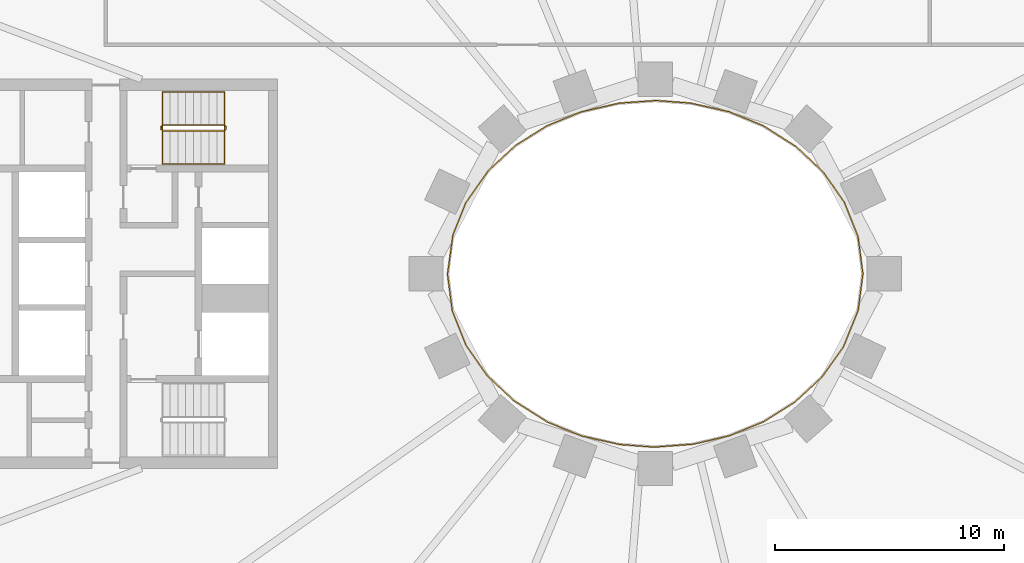
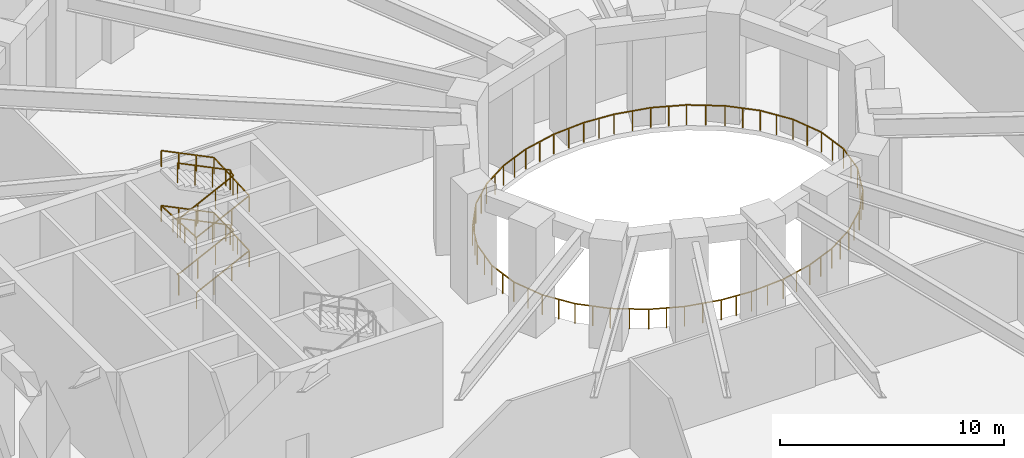
# One storey, part 66 of 74: 3 railings.
"""IFC4 building model written with IfcOpenShell, lengths in metres."""

from ifc_helpers import new_model, si_unit, direction, frame, origin, origin_2d, place, context, subcontext, project, spatial, rectangle, extrude, material, type_object, element, save


model = new_model("IFC4")

# Units and contexts
model_context = context("Model", 3, precision=1e-05, world=origin(), true_north=direction((0.0, 1.0)))
body_context = subcontext(model_context, "Body", "Model", "MODEL_VIEW")
ifc_project = project(units=[si_unit("LENGTHUNIT", "METRE"), si_unit("AREAUNIT", "SQUARE_METRE"), si_unit("VOLUMEUNIT", "CUBIC_METRE"), si_unit("PLANEANGLEUNIT", "RADIAN"), si_unit("MASSUNIT", "GRAM", prefix="KILO")], contexts=[model_context])

# Site, building, storey
site_placement = place(None, origin())
site = spatial("IfcSite", under=ifc_project, at=site_placement, CompositionType="ELEMENT")
building_placement = place(site_placement, origin())
building = spatial("IfcBuilding", under=site, at=building_placement, Name="Noorbagh Ring Tower", CompositionType="ELEMENT")
storey_placement = place(building_placement, frame((0.0, 0.0, 13.5)))
storey = spatial("IfcBuildingStorey", under=building, at=storey_placement, Name="L02", CompositionType="ELEMENT", Elevation=13.5)

# Railings
ifc_material_1 = material(Name="Stainless steel", Category="steel")
railing_type_1 = type_object("IfcRailingType", Name="CORE-STAIR-GUARD", PredefinedType="GUARDRAIL", material=ifc_material_1)
railing_1_placement = place(storey_placement, frame((-21.580078125, 6.300048828125, 0.0)))
element("IfcRailing", 1, at=railing_1_placement, inside=storey, type_object=railing_type_1, Name="L02 ST1 stair guard", PredefinedType="GUARDRAIL", context=body_context, shape_type="SweptSolid", body=[
    extrude(rectangle(XDim=0.048095703125, YDim=0.048095703125, at=origin_2d()), frame((0.0, 0.0, 1.076171875), z_axis=(0.0, 1.0, 0.0), x_axis=(-1.0, 0.0, 0.0)), (0.0, 0.0, 1.0), 0.14990234375),
    extrude(rectangle(XDim=0.048095703125, YDim=0.048095703125, at=origin_2d()), frame((0.0, 0.14990234375, 1.076171875), z_axis=(0.188775798145, -0.754182335027, 0.628945707965), x_axis=(0.970072785993, 0.242814311512, 0.0)), (0.0, 0.0, 1.0), 0.26513671875),
    extrude(rectangle(XDim=0.048095703125, YDim=0.048095703125, at=origin_2d()), frame((0.050048828125, -0.050048828125, 1.24267578125), z_axis=(0.897929466783, 0.0, 0.4401393787), x_axis=(0.0, 1.0, 0.0)), (0.0, 0.0, 1.0), 3.029052734375),
    extrude(rectangle(XDim=0.048095703125, YDim=0.048095703125, at=origin_2d()), frame((2.77001953125, -0.050048828125, 2.576171875), z_axis=(0.707106781187, 0.707106781187, 0.0), x_axis=(-0.707106781187, 0.707106781187, 0.0)), (0.0, 0.0, 1.0), 0.07080078125),
    extrude(rectangle(XDim=0.048095703125, YDim=0.048095703125, at=origin_2d()), frame((2.820068359375, 0.0, 2.576171875), z_axis=(0.0, 1.0, 0.0), x_axis=(-1.0, 0.0, 0.0)), (0.0, 0.0, 1.0), 0.14990234375),
    extrude(rectangle(XDim=0.048095703125, YDim=0.048095703125, at=origin_2d()), frame((2.820068359375, 0.14990234375, 2.576171875), z_axis=(-0.27628659633, 0.27628659633, 0.920506074601), x_axis=(-0.707106781187, -0.707106781187, 0.0)), (0.0, 0.0, 1.0), 0.18115234375),
    extrude(rectangle(XDim=0.048095703125, YDim=0.048095703125, at=origin_2d()), frame((2.77001953125, 0.199951171875, 2.74267578125), z_axis=(-0.897929466783, 0.0, 0.4401393787), x_axis=(0.0, -1.0, 0.0)), (0.0, 0.0, 1.0), 3.029052734375),
    extrude(rectangle(XDim=0.048095703125, YDim=0.048095703125, at=origin_2d()), frame((0.050048828125, 0.199951171875, 4.076171875), z_axis=(-0.242814311512, -0.970072785993, 0.0), x_axis=(0.970072785993, -0.242814311512, 0.0)), (0.0, 0.0, 1.0), 0.2060546875),
    extrude(rectangle(XDim=0.048095703125, YDim=0.048095703125, at=origin_2d()), frame((0.0, 0.0, 4.076171875), z_axis=(0.0, 1.0, 0.0), x_axis=(-1.0, 0.0, 0.0)), (0.0, 0.0, 1.0), 0.14990234375),
    extrude(rectangle(XDim=0.048095703125, YDim=0.048095703125, at=origin_2d()), frame((0.0, 0.14990234375, 4.076171875), z_axis=(0.188775798145, -0.754182335027, 0.628945707965), x_axis=(0.970072785993, 0.242814311512, 0.0)), (0.0, 0.0, 1.0), 0.26513671875),
    extrude(rectangle(XDim=0.048095703125, YDim=0.048095703125, at=origin_2d()), frame((0.050048828125, -0.050048828125, 4.24267578125), z_axis=(0.897929466783, 0.0, 0.4401393787), x_axis=(0.0, 1.0, 0.0)), (0.0, 0.0, 1.0), 3.029052734375),
    extrude(rectangle(XDim=0.048095703125, YDim=0.048095703125, at=origin_2d()), frame((2.77001953125, -0.050048828125, 5.576171875), z_axis=(0.707106781187, 0.707106781187, 0.0), x_axis=(-0.707106781187, 0.707106781187, 0.0)), (0.0, 0.0, 1.0), 0.07080078125),
    extrude(rectangle(XDim=0.048095703125, YDim=0.048095703125, at=origin_2d()), frame((2.820068359375, 0.0, 5.576171875), z_axis=(0.0, 1.0, 0.0), x_axis=(-1.0, 0.0, 0.0)), (0.0, 0.0, 1.0), 0.14990234375),
    extrude(rectangle(XDim=0.048095703125, YDim=0.048095703125, at=origin_2d()), frame((2.820068359375, 0.14990234375, 5.576171875), z_axis=(-0.27628659633, 0.27628659633, 0.920506074601), x_axis=(-0.707106781187, -0.707106781187, 0.0)), (0.0, 0.0, 1.0), 0.18115234375),
    extrude(rectangle(XDim=0.048095703125, YDim=0.048095703125, at=origin_2d()), frame((2.77001953125, 0.199951171875, 5.74267578125), z_axis=(-0.897929466783, 0.0, 0.4401393787), x_axis=(0.0, -1.0, 0.0)), (0.0, 0.0, 1.0), 3.029052734375),
    extrude(rectangle(XDim=0.0419921875, YDim=0.0419921875, at=origin_2d()), origin(), (0.0, 0.0, 1.0), 1.052001953125),
    extrude(rectangle(XDim=0.0419921875, YDim=0.0419921875, at=origin_2d()), frame((0.956787109375, -0.050048828125, 0.611083984375)), (0.0, 0.0, 1.0), 1.052001953125),
    extrude(rectangle(XDim=0.0419921875, YDim=0.0419921875, at=origin_2d()), frame((1.86328125, -0.050048828125, 1.0556640625)), (0.0, 0.0, 1.0), 1.052001953125),
    extrude(rectangle(XDim=0.0419921875, YDim=0.0419921875, at=origin_2d()), frame((2.77001953125, -0.050048828125, 1.5)), (0.0, 0.0, 1.0), 1.052001953125),
    extrude(rectangle(XDim=0.0419921875, YDim=0.0419921875, at=origin_2d()), frame((2.77001953125, 0.199951171875, 1.666748046875)), (0.0, 0.0, 1.0), 1.052001953125),
    extrude(rectangle(XDim=0.0419921875, YDim=0.0419921875, at=origin_2d()), frame((1.86328125, 0.199951171875, 2.111083984375)), (0.0, 0.0, 1.0), 1.052001953125),
    extrude(rectangle(XDim=0.0419921875, YDim=0.0419921875, at=origin_2d()), frame((0.956787109375, 0.199951171875, 2.5556640625)), (0.0, 0.0, 1.0), 1.052001953125),
    extrude(rectangle(XDim=0.0419921875, YDim=0.0419921875, at=origin_2d()), frame((0.050048828125, 0.199951171875, 3.0)), (0.0, 0.0, 1.0), 1.052001953125),
    extrude(rectangle(XDim=0.0419921875, YDim=0.0419921875, at=origin_2d()), frame((0.050048828125, -0.050048828125, 3.166748046875)), (0.0, 0.0, 1.0), 1.052001953125),
    extrude(rectangle(XDim=0.0419921875, YDim=0.0419921875, at=origin_2d()), frame((0.956787109375, -0.050048828125, 3.611083984375)), (0.0, 0.0, 1.0), 1.052001953125),
    extrude(rectangle(XDim=0.0419921875, YDim=0.0419921875, at=origin_2d()), frame((1.86328125, -0.050048828125, 4.0556640625)), (0.0, 0.0, 1.0), 1.052001953125),
    extrude(rectangle(XDim=0.0419921875, YDim=0.0419921875, at=origin_2d()), frame((2.77001953125, -0.050048828125, 4.5)), (0.0, 0.0, 1.0), 1.052001953125),
    extrude(rectangle(XDim=0.0419921875, YDim=0.0419921875, at=origin_2d()), frame((2.77001953125, 0.199951171875, 4.666748046875)), (0.0, 0.0, 1.0), 1.052001953125),
    extrude(rectangle(XDim=0.0419921875, YDim=0.0419921875, at=origin_2d()), frame((1.86328125, 0.199951171875, 5.111083984375)), (0.0, 0.0, 1.0), 1.052001953125),
    extrude(rectangle(XDim=0.0419921875, YDim=0.0419921875, at=origin_2d()), frame((0.956787109375, 0.199951171875, 5.5556640625)), (0.0, 0.0, 1.0), 1.052001953125),
    extrude(rectangle(XDim=0.0419921875, YDim=0.0419921875, at=origin_2d()), frame((0.050048828125, 0.199951171875, 6.0)), (0.0, 0.0, 1.0), 1.052001953125),
])
ifc_material_2 = material(Name="Stainless steel", Category="steel")
railing_type_2 = type_object("IfcRailingType", Name="CORE-STAIR-HANDRAIL", PredefinedType="HANDRAIL", material=ifc_material_2)
railing_2_placement = place(storey_placement, frame((-21.530029296875, 4.800048828125, 0.166748046875)))
element("IfcRailing", 2, at=railing_2_placement, inside=storey, type_object=railing_type_2, Name="L02 ST1 stair handrail", PredefinedType="HANDRAIL", context=body_context, shape_type="SweptSolid", body=[
    extrude(rectangle(XDim=0.048095703125, YDim=0.048095703125, at=origin_2d()), frame((0.0, 0.0, 0.8759765625), z_axis=(0.897929466783, 0.0, 0.4401393787), x_axis=(0.0, 1.0, 0.0)), (0.0, 0.0, 1.0), 3.029052734375),
    extrude(rectangle(XDim=0.048095703125, YDim=0.048095703125, at=origin_2d()), frame((2.719970703125, 0.0, 2.208984375), z_axis=(0.0, 0.998601747152, 0.052863509014), x_axis=(-1.0, 0.0, 0.0)), (0.0, 0.0, 1.0), 3.154296875),
    extrude(rectangle(XDim=0.048095703125, YDim=0.048095703125, at=origin_2d()), frame((2.719970703125, 3.14990234375, 2.3759765625), z_axis=(-0.897929466783, 0.0, 0.4401393787), x_axis=(0.0, -1.0, 0.0)), (0.0, 0.0, 1.0), 3.029052734375),
    extrude(rectangle(XDim=0.048095703125, YDim=0.048095703125, at=origin_2d()), frame((0.0, 3.14990234375, 3.708984375), z_axis=(0.0, -0.998601747152, 0.052863509014), x_axis=(1.0, 0.0, 0.0)), (0.0, 0.0, 1.0), 3.154296875),
    extrude(rectangle(XDim=0.048095703125, YDim=0.048095703125, at=origin_2d()), frame((0.0, 0.0, 3.8759765625), z_axis=(0.897929466783, 0.0, 0.4401393787), x_axis=(0.0, 1.0, 0.0)), (0.0, 0.0, 1.0), 3.029052734375),
    extrude(rectangle(XDim=0.048095703125, YDim=0.048095703125, at=origin_2d()), frame((2.719970703125, 0.0, 5.208984375), z_axis=(0.0, 0.998601747152, 0.052863509014), x_axis=(-1.0, 0.0, 0.0)), (0.0, 0.0, 1.0), 3.154296875),
    extrude(rectangle(XDim=0.048095703125, YDim=0.048095703125, at=origin_2d()), frame((2.719970703125, 3.14990234375, 5.3759765625), z_axis=(-0.897929466783, 0.0, 0.4401393787), x_axis=(0.0, -1.0, 0.0)), (0.0, 0.0, 1.0), 3.029052734375),
    extrude(rectangle(XDim=0.0419921875, YDim=0.0419921875, at=origin_2d()), origin(), (0.0, 0.0, 1.0), 0.851806640625),
    extrude(rectangle(XDim=0.0419921875, YDim=0.0419921875, at=origin_2d()), frame((0.90673828125, 0.0, 0.4443359375)), (0.0, 0.0, 1.0), 0.851806640625),
    extrude(rectangle(XDim=0.0419921875, YDim=0.0419921875, at=origin_2d()), frame((1.813232421875, 0.0, 0.888916015625)), (0.0, 0.0, 1.0), 0.851806640625),
    extrude(rectangle(XDim=0.0419921875, YDim=0.0419921875, at=origin_2d()), frame((2.719970703125, 0.0, 1.333251953125)), (0.0, 0.0, 1.0), 0.851806640625),
    extrude(rectangle(XDim=0.0419921875, YDim=0.0419921875, at=origin_2d()), frame((2.719970703125, 1.050048828125, 1.388916015625)), (0.0, 0.0, 1.0), 0.851806640625),
    extrude(rectangle(XDim=0.0419921875, YDim=0.0419921875, at=origin_2d()), frame((2.719970703125, 2.099853515625, 1.4443359375)), (0.0, 0.0, 1.0), 0.851806640625),
    extrude(rectangle(XDim=0.0419921875, YDim=0.0419921875, at=origin_2d()), frame((2.719970703125, 3.14990234375, 1.5)), (0.0, 0.0, 1.0), 0.851806640625),
    extrude(rectangle(XDim=0.0419921875, YDim=0.0419921875, at=origin_2d()), frame((1.813232421875, 3.14990234375, 1.9443359375)), (0.0, 0.0, 1.0), 0.851806640625),
    extrude(rectangle(XDim=0.0419921875, YDim=0.0419921875, at=origin_2d()), frame((0.90673828125, 3.14990234375, 2.388916015625)), (0.0, 0.0, 1.0), 0.851806640625),
    extrude(rectangle(XDim=0.0419921875, YDim=0.0419921875, at=origin_2d()), frame((0.0, 3.14990234375, 2.833251953125)), (0.0, 0.0, 1.0), 0.851806640625),
    extrude(rectangle(XDim=0.0419921875, YDim=0.0419921875, at=origin_2d()), frame((0.0, 2.099853515625, 2.888916015625)), (0.0, 0.0, 1.0), 0.851806640625),
    extrude(rectangle(XDim=0.0419921875, YDim=0.0419921875, at=origin_2d()), frame((0.0, 1.050048828125, 2.9443359375)), (0.0, 0.0, 1.0), 0.851806640625),
    extrude(rectangle(XDim=0.0419921875, YDim=0.0419921875, at=origin_2d()), frame((0.0, 0.0, 3.0)), (0.0, 0.0, 1.0), 0.851806640625),
    extrude(rectangle(XDim=0.0419921875, YDim=0.0419921875, at=origin_2d()), frame((0.90673828125, 0.0, 3.4443359375)), (0.0, 0.0, 1.0), 0.851806640625),
    extrude(rectangle(XDim=0.0419921875, YDim=0.0419921875, at=origin_2d()), frame((1.813232421875, 0.0, 3.888916015625)), (0.0, 0.0, 1.0), 0.851806640625),
    extrude(rectangle(XDim=0.0419921875, YDim=0.0419921875, at=origin_2d()), frame((2.719970703125, 0.0, 4.333251953125)), (0.0, 0.0, 1.0), 0.851806640625),
    extrude(rectangle(XDim=0.0419921875, YDim=0.0419921875, at=origin_2d()), frame((2.719970703125, 1.050048828125, 4.388916015625)), (0.0, 0.0, 1.0), 0.851806640625),
    extrude(rectangle(XDim=0.0419921875, YDim=0.0419921875, at=origin_2d()), frame((2.719970703125, 2.099853515625, 4.4443359375)), (0.0, 0.0, 1.0), 0.851806640625),
    extrude(rectangle(XDim=0.0419921875, YDim=0.0419921875, at=origin_2d()), frame((2.719970703125, 3.14990234375, 4.5)), (0.0, 0.0, 1.0), 0.851806640625),
    extrude(rectangle(XDim=0.0419921875, YDim=0.0419921875, at=origin_2d()), frame((1.813232421875, 3.14990234375, 4.9443359375)), (0.0, 0.0, 1.0), 0.851806640625),
    extrude(rectangle(XDim=0.0419921875, YDim=0.0419921875, at=origin_2d()), frame((0.90673828125, 3.14990234375, 5.388916015625)), (0.0, 0.0, 1.0), 0.851806640625),
    extrude(rectangle(XDim=0.0419921875, YDim=0.0419921875, at=origin_2d()), frame((0.0, 3.14990234375, 5.833251953125)), (0.0, 0.0, 1.0), 0.851806640625),
])
ifc_material_3 = material(Name="Stainless steel", Category="steel")
railing_type_3 = type_object("IfcRailingType", Name="DECK-GUARD", PredefinedType="GUARDRAIL", material=ifc_material_3)
railing_3_placement = place(storey_placement, frame((4.731689453125, -6.464111328125, 0.0)))
element("IfcRailing", 3, at=railing_3_placement, inside=storey, type_object=railing_type_3, Name="Court edge guard 1", PredefinedType="GUARDRAIL", context=body_context, shape_type="SweptSolid", body=[
    extrude(rectangle(XDim=0.048095703125, YDim=0.048095703125, at=origin_2d()), frame((0.0, 0.0, 1.076171875), z_axis=(-0.925578297012, -0.37855622581, 0.0), x_axis=(0.37855622581, -0.925578297012, 0.0)), (0.0, 0.0, 1.0), 1.613037109375),
    extrude(rectangle(XDim=0.048095703125, YDim=0.048095703125, at=origin_2d()), frame((-1.492919921875, -0.610595703125, 1.076171875), z_axis=(-0.973575816781, -0.22836402733, 0.0), x_axis=(0.22836402733, -0.973575816781, 0.0)), (0.0, 0.0, 1.0), 1.612060546875),
    extrude(rectangle(XDim=0.048095703125, YDim=0.048095703125, at=origin_2d()), frame((-3.0625, -0.978759765625, 1.076171875), z_axis=(-0.997167139614, -0.075217655334, 0.0), x_axis=(0.075217655334, -0.997167139614, 0.0)), (0.0, 0.0, 1.0), 1.717041015625),
    extrude(rectangle(XDim=0.048095703125, YDim=0.048095703125, at=origin_2d()), frame((-4.774658203125, -1.10791015625, 1.076171875), z_axis=(-0.997155622532, 0.075370182782, 0.0), x_axis=(-0.075370182782, -0.997155622532, 0.0)), (0.0, 0.0, 1.0), 1.50634765625),
    extrude(rectangle(XDim=0.048095703125, YDim=0.048095703125, at=origin_2d()), frame((-6.276611328125, -0.994384765625, 1.076171875), z_axis=(-0.975669097813, 0.2192482875, 0.0), x_axis=(-0.2192482875, -0.975669097813, 0.0)), (0.0, 0.0, 1.0), 1.717041015625),
    extrude(rectangle(XDim=0.048095703125, YDim=0.048095703125, at=origin_2d()), frame((-7.951904296875, -0.617919921875, 1.076171875), z_axis=(-0.925652998408, 0.378373527799, 0.0), x_axis=(-0.378373527799, -0.925652998408, 0.0)), (0.0, 0.0, 1.0), 1.613037109375),
    extrude(rectangle(XDim=0.048095703125, YDim=0.048095703125, at=origin_2d()), frame((-9.445068359375, -0.007568359375, 1.076171875), z_axis=(-0.844566526835, 0.535450634279, 0.0), x_axis=(-0.535450634279, -0.844566526835, 0.0)), (0.0, 0.0, 1.0), 1.719482421875),
    extrude(rectangle(XDim=0.048095703125, YDim=0.048095703125, at=origin_2d()), frame((-10.897216796875, 0.9130859375, 1.076171875), z_axis=(-0.72876347067, 0.684765510096, 0.0), x_axis=(-0.684765510096, -0.72876347067, 0.0)), (0.0, 0.0, 1.0), 1.61474609375),
    extrude(rectangle(XDim=0.048095703125, YDim=0.048095703125, at=origin_2d()), frame((-12.073974609375, 2.018798828125, 1.076171875), z_axis=(-0.571869677107, 0.820344483985, 0.0), x_axis=(-0.820344483985, -0.571869677107, 0.0)), (0.0, 0.0, 1.0), 1.6162109375),
    extrude(rectangle(XDim=0.048095703125, YDim=0.048095703125, at=origin_2d()), frame((-12.998291015625, 3.3447265625, 1.076171875), z_axis=(-0.369933542229, 0.929058219023, 0.0), x_axis=(-0.929058219023, -0.369933542229, 0.0)), (0.0, 0.0, 1.0), 1.6181640625),
    extrude(rectangle(XDim=0.048095703125, YDim=0.048095703125, at=origin_2d()), frame((-13.596923828125, 4.84814453125, 1.076171875), z_axis=(-0.128765472629, 0.991675074336, 0.0), x_axis=(-0.991675074336, -0.128765472629, 0.0)), (0.0, 0.0, 1.0), 1.619140625),
    extrude(rectangle(XDim=0.048095703125, YDim=0.048095703125, at=origin_2d()), frame((-13.805419921875, 6.453857421875, 1.076171875), z_axis=(0.138470278675, 0.990366589665, 0.0), x_axis=(-0.990366589665, 0.138470278675, 0.0)), (0.0, 0.0, 1.0), 1.72607421875),
    extrude(rectangle(XDim=0.048095703125, YDim=0.048095703125, at=origin_2d()), frame((-13.56640625, 8.163330078125, 1.076171875), z_axis=(0.371306990602, 0.928510160812, 0.0), x_axis=(-0.928510160812, 0.371306990602, 0.0)), (0.0, 0.0, 1.0), 1.509033203125),
    extrude(rectangle(XDim=0.048095703125, YDim=0.048095703125, at=origin_2d()), frame((-13.006103515625, 9.564453125, 1.076171875), z_axis=(0.573937677408, 0.818898981836, 0.0), x_axis=(-0.818898981836, 0.573937677408, 0.0)), (0.0, 0.0, 1.0), 1.72314453125),
    extrude(rectangle(XDim=0.048095703125, YDim=0.048095703125, at=origin_2d()), frame((-12.01708984375, 10.9755859375, 1.076171875), z_axis=(0.734525137846, 0.678581477697, 0.0), x_axis=(-0.678581477697, 0.734525137846, 0.0)), (0.0, 0.0, 1.0), 1.61474609375),
    extrude(rectangle(XDim=0.048095703125, YDim=0.048095703125, at=origin_2d()), frame((-10.8310546875, 12.0712890625, 1.076171875), z_axis=(0.847402896005, 0.530950404316, 0.0), x_axis=(-0.530950404316, 0.847402896005, 0.0)), (0.0, 0.0, 1.0), 1.614013671875),
    extrude(rectangle(XDim=0.048095703125, YDim=0.048095703125, at=origin_2d()), frame((-9.46337890625, 12.92822265625, 1.076171875), z_axis=(0.925578297012, 0.37855622581, 0.0), x_axis=(-0.37855622581, 0.925578297012, 0.0)), (0.0, 0.0, 1.0), 1.613037109375),
    extrude(rectangle(XDim=0.048095703125, YDim=0.048095703125, at=origin_2d()), frame((-7.970458984375, 13.538818359375, 1.076171875), z_axis=(0.974906126965, 0.222616359701, 0.0), x_axis=(-0.222616359701, 0.974906126965, 0.0)), (0.0, 0.0, 1.0), 1.717529296875),
    extrude(rectangle(XDim=0.048095703125, YDim=0.048095703125, at=origin_2d()), frame((-6.296142578125, 13.921142578125, 1.076171875), z_axis=(0.997451003858, 0.071354711849, 0.0), x_axis=(-0.071354711849, 0.997451003858, 0.0)), (0.0, 0.0, 1.0), 1.611572265625),
    extrude(rectangle(XDim=0.048095703125, YDim=0.048095703125, at=origin_2d()), frame((-4.688720703125, 14.0361328125, 1.076171875), z_axis=(0.997155622532, -0.075370182782, 0.0), x_axis=(0.075370182782, 0.997155622532, 0.0)), (0.0, 0.0, 1.0), 1.50634765625),
    extrude(rectangle(XDim=0.048095703125, YDim=0.048095703125, at=origin_2d()), frame((-3.186767578125, 13.922607421875, 1.076171875), z_axis=(0.975669097813, -0.2192482875, 0.0), x_axis=(0.2192482875, 0.975669097813, 0.0)), (0.0, 0.0, 1.0), 1.717041015625),
    extrude(rectangle(XDim=0.048095703125, YDim=0.048095703125, at=origin_2d()), frame((-1.511474609375, 13.546142578125, 1.076171875), z_axis=(0.925652998408, -0.378373527799, 0.0), x_axis=(0.378373527799, 0.925652998408, 0.0)), (0.0, 0.0, 1.0), 1.613037109375),
    extrude(rectangle(XDim=0.048095703125, YDim=0.048095703125, at=origin_2d()), frame((-0.018310546875, 12.935791015625, 1.076171875), z_axis=(0.844566526835, -0.535450634279, 0.0), x_axis=(0.535450634279, 0.844566526835, 0.0)), (0.0, 0.0, 1.0), 1.719482421875),
    extrude(rectangle(XDim=0.048095703125, YDim=0.048095703125, at=origin_2d()), frame((1.433837890625, 12.01513671875, 1.076171875), z_axis=(0.72876347067, -0.684765510096, 0.0), x_axis=(0.684765510096, 0.72876347067, 0.0)), (0.0, 0.0, 1.0), 1.61474609375),
    extrude(rectangle(XDim=0.048095703125, YDim=0.048095703125, at=origin_2d()), frame((2.610595703125, 10.909423828125, 1.076171875), z_axis=(0.571869677107, -0.820344483985, 0.0), x_axis=(0.820344483985, 0.571869677107, 0.0)), (0.0, 0.0, 1.0), 1.6162109375),
    extrude(rectangle(XDim=0.048095703125, YDim=0.048095703125, at=origin_2d()), frame((3.534912109375, 9.58349609375, 1.076171875), z_axis=(0.369933542229, -0.929058219023, 0.0), x_axis=(0.929058219023, 0.369933542229, 0.0)), (0.0, 0.0, 1.0), 1.6181640625),
    extrude(rectangle(XDim=0.048095703125, YDim=0.048095703125, at=origin_2d()), frame((4.133544921875, 8.080078125, 1.076171875), z_axis=(0.128765472629, -0.991675074336, 0.0), x_axis=(0.991675074336, 0.128765472629, 0.0)), (0.0, 0.0, 1.0), 1.619140625),
    extrude(rectangle(XDim=0.048095703125, YDim=0.048095703125, at=origin_2d()), frame((4.342041015625, 6.474365234375, 1.076171875), z_axis=(-0.100164851189, -0.994970855144, 0.0), x_axis=(0.994970855144, -0.100164851189, 0.0)), (0.0, 0.0, 1.0), 0.109619140625),
    extrude(rectangle(XDim=0.048095703125, YDim=0.048095703125, at=origin_2d()), frame((4.3310546875, 6.365234375, 1.076171875), z_axis=(-0.129069510338, -0.991635548728, 0.0), x_axis=(0.991635548728, -0.129069510338, 0.0)), (0.0, 0.0, 1.0), 1.509521484375),
    extrude(rectangle(XDim=0.048095703125, YDim=0.048095703125, at=origin_2d()), frame((4.13623046875, 4.868408203125, 1.076171875), z_axis=(-0.374804706574, -0.927103787032, 0.0), x_axis=(0.927103787032, -0.374804706574, 0.0)), (0.0, 0.0, 1.0), 1.724853515625),
    extrude(rectangle(XDim=0.048095703125, YDim=0.048095703125, at=origin_2d()), frame((3.48974609375, 3.269287109375, 1.076171875), z_axis=(-0.57942117992, -0.815028279423, 0.0), x_axis=(0.815028279423, -0.57942117992, 0.0)), (0.0, 0.0, 1.0), 1.615478515625),
    extrude(rectangle(XDim=0.048095703125, YDim=0.048095703125, at=origin_2d()), frame((2.5537109375, 1.95263671875, 1.076171875), z_axis=(-0.734525137846, -0.678581477697, 0.0), x_axis=(0.678581477697, -0.734525137846, 0.0)), (0.0, 0.0, 1.0), 1.61474609375),
    extrude(rectangle(XDim=0.048095703125, YDim=0.048095703125, at=origin_2d()), frame((1.36767578125, 0.85693359375, 1.076171875), z_axis=(-0.847402896005, -0.530950404316, 0.0), x_axis=(0.530950404316, -0.847402896005, 0.0)), (0.0, 0.0, 1.0), 1.614013671875),
    extrude(rectangle(XDim=0.0419921875, YDim=0.0419921875, at=origin_2d()), origin(), (0.0, 0.0, 1.0), 1.052001953125),
    extrude(rectangle(XDim=0.0419921875, YDim=0.0419921875, at=origin_2d()), frame((-0.74658203125, -0.30517578125, 0.0)), (0.0, 0.0, 1.0), 1.052001953125),
    extrude(rectangle(XDim=0.0419921875, YDim=0.0419921875, at=origin_2d()), frame((-1.492919921875, -0.610595703125, 0.0)), (0.0, 0.0, 1.0), 1.052001953125),
    extrude(rectangle(XDim=0.0419921875, YDim=0.0419921875, at=origin_2d()), frame((-2.27783203125, -0.794677734375, 0.0)), (0.0, 0.0, 1.0), 1.052001953125),
    extrude(rectangle(XDim=0.0419921875, YDim=0.0419921875, at=origin_2d()), frame((-3.0625, -0.978759765625, 0.0)), (0.0, 0.0, 1.0), 1.052001953125),
    extrude(rectangle(XDim=0.0419921875, YDim=0.0419921875, at=origin_2d()), frame((-3.91845703125, -1.04345703125, 0.0)), (0.0, 0.0, 1.0), 1.052001953125),
    extrude(rectangle(XDim=0.0419921875, YDim=0.0419921875, at=origin_2d()), frame((-4.774658203125, -1.10791015625, 0.0)), (0.0, 0.0, 1.0), 1.052001953125),
    extrude(rectangle(XDim=0.0419921875, YDim=0.0419921875, at=origin_2d()), frame((-5.525634765625, -1.05126953125, 0.0)), (0.0, 0.0, 1.0), 1.052001953125),
    extrude(rectangle(XDim=0.0419921875, YDim=0.0419921875, at=origin_2d()), frame((-6.276611328125, -0.994384765625, 0.0)), (0.0, 0.0, 1.0), 1.052001953125),
    extrude(rectangle(XDim=0.0419921875, YDim=0.0419921875, at=origin_2d()), frame((-7.1142578125, -0.80615234375, 0.0)), (0.0, 0.0, 1.0), 1.052001953125),
    extrude(rectangle(XDim=0.0419921875, YDim=0.0419921875, at=origin_2d()), frame((-7.951904296875, -0.617919921875, 0.0)), (0.0, 0.0, 1.0), 1.052001953125),
    extrude(rectangle(XDim=0.0419921875, YDim=0.0419921875, at=origin_2d()), frame((-8.698486328125, -0.312744140625, 0.0)), (0.0, 0.0, 1.0), 1.052001953125),
    extrude(rectangle(XDim=0.0419921875, YDim=0.0419921875, at=origin_2d()), frame((-9.445068359375, -0.007568359375, 0.0)), (0.0, 0.0, 1.0), 1.052001953125),
    extrude(rectangle(XDim=0.0419921875, YDim=0.0419921875, at=origin_2d()), frame((-10.171142578125, 0.45263671875, 0.0)), (0.0, 0.0, 1.0), 1.052001953125),
    extrude(rectangle(XDim=0.0419921875, YDim=0.0419921875, at=origin_2d()), frame((-10.897216796875, 0.9130859375, 0.0)), (0.0, 0.0, 1.0), 1.052001953125),
    extrude(rectangle(XDim=0.0419921875, YDim=0.0419921875, at=origin_2d()), frame((-11.485595703125, 1.4658203125, 0.0)), (0.0, 0.0, 1.0), 1.052001953125),
    extrude(rectangle(XDim=0.0419921875, YDim=0.0419921875, at=origin_2d()), frame((-12.073974609375, 2.018798828125, 0.0)), (0.0, 0.0, 1.0), 1.052001953125),
    extrude(rectangle(XDim=0.0419921875, YDim=0.0419921875, at=origin_2d()), frame((-12.5361328125, 2.681640625, 0.0)), (0.0, 0.0, 1.0), 1.052001953125),
    extrude(rectangle(XDim=0.0419921875, YDim=0.0419921875, at=origin_2d()), frame((-12.998291015625, 3.3447265625, 0.0)), (0.0, 0.0, 1.0), 1.052001953125),
    extrude(rectangle(XDim=0.0419921875, YDim=0.0419921875, at=origin_2d()), frame((-13.297607421875, 4.096435546875, 0.0)), (0.0, 0.0, 1.0), 1.052001953125),
    extrude(rectangle(XDim=0.0419921875, YDim=0.0419921875, at=origin_2d()), frame((-13.596923828125, 4.84814453125, 0.0)), (0.0, 0.0, 1.0), 1.052001953125),
    extrude(rectangle(XDim=0.0419921875, YDim=0.0419921875, at=origin_2d()), frame((-13.701171875, 5.65087890625, 0.0)), (0.0, 0.0, 1.0), 1.052001953125),
    extrude(rectangle(XDim=0.0419921875, YDim=0.0419921875, at=origin_2d()), frame((-13.805419921875, 6.453857421875, 0.0)), (0.0, 0.0, 1.0), 1.052001953125),
    extrude(rectangle(XDim=0.0419921875, YDim=0.0419921875, at=origin_2d()), frame((-13.68603515625, 7.30859375, 0.0)), (0.0, 0.0, 1.0), 1.052001953125),
    extrude(rectangle(XDim=0.0419921875, YDim=0.0419921875, at=origin_2d()), frame((-13.56640625, 8.163330078125, 0.0)), (0.0, 0.0, 1.0), 1.052001953125),
    extrude(rectangle(XDim=0.0419921875, YDim=0.0419921875, at=origin_2d()), frame((-13.2861328125, 8.86376953125, 0.0)), (0.0, 0.0, 1.0), 1.052001953125),
    extrude(rectangle(XDim=0.0419921875, YDim=0.0419921875, at=origin_2d()), frame((-13.006103515625, 9.564453125, 0.0)), (0.0, 0.0, 1.0), 1.052001953125),
    extrude(rectangle(XDim=0.0419921875, YDim=0.0419921875, at=origin_2d()), frame((-12.51171875, 10.27001953125, 0.0)), (0.0, 0.0, 1.0), 1.052001953125),
    extrude(rectangle(XDim=0.0419921875, YDim=0.0419921875, at=origin_2d()), frame((-12.01708984375, 10.9755859375, 0.0)), (0.0, 0.0, 1.0), 1.052001953125),
    extrude(rectangle(XDim=0.0419921875, YDim=0.0419921875, at=origin_2d()), frame((-11.424072265625, 11.5234375, 0.0)), (0.0, 0.0, 1.0), 1.052001953125),
    extrude(rectangle(XDim=0.0419921875, YDim=0.0419921875, at=origin_2d()), frame((-10.8310546875, 12.0712890625, 0.0)), (0.0, 0.0, 1.0), 1.052001953125),
    extrude(rectangle(XDim=0.0419921875, YDim=0.0419921875, at=origin_2d()), frame((-10.147216796875, 12.499755859375, 0.0)), (0.0, 0.0, 1.0), 1.052001953125),
    extrude(rectangle(XDim=0.0419921875, YDim=0.0419921875, at=origin_2d()), frame((-9.46337890625, 12.92822265625, 0.0)), (0.0, 0.0, 1.0), 1.052001953125),
    extrude(rectangle(XDim=0.0419921875, YDim=0.0419921875, at=origin_2d()), frame((-8.716796875, 13.2333984375, 0.0)), (0.0, 0.0, 1.0), 1.052001953125),
    extrude(rectangle(XDim=0.0419921875, YDim=0.0419921875, at=origin_2d()), frame((-7.970458984375, 13.538818359375, 0.0)), (0.0, 0.0, 1.0), 1.052001953125),
    extrude(rectangle(XDim=0.0419921875, YDim=0.0419921875, at=origin_2d()), frame((-7.13330078125, 13.72998046875, 0.0)), (0.0, 0.0, 1.0), 1.052001953125),
    extrude(rectangle(XDim=0.0419921875, YDim=0.0419921875, at=origin_2d()), frame((-6.296142578125, 13.921142578125, 0.0)), (0.0, 0.0, 1.0), 1.052001953125),
    extrude(rectangle(XDim=0.0419921875, YDim=0.0419921875, at=origin_2d()), frame((-5.492431640625, 13.978515625, 0.0)), (0.0, 0.0, 1.0), 1.052001953125),
    extrude(rectangle(XDim=0.0419921875, YDim=0.0419921875, at=origin_2d()), frame((-4.688720703125, 14.0361328125, 0.0)), (0.0, 0.0, 1.0), 1.052001953125),
    extrude(rectangle(XDim=0.0419921875, YDim=0.0419921875, at=origin_2d()), frame((-3.937744140625, 13.9794921875, 0.0)), (0.0, 0.0, 1.0), 1.052001953125),
    extrude(rectangle(XDim=0.0419921875, YDim=0.0419921875, at=origin_2d()), frame((-3.186767578125, 13.922607421875, 0.0)), (0.0, 0.0, 1.0), 1.052001953125),
    extrude(rectangle(XDim=0.0419921875, YDim=0.0419921875, at=origin_2d()), frame((-2.34912109375, 13.734375, 0.0)), (0.0, 0.0, 1.0), 1.052001953125),
    extrude(rectangle(XDim=0.0419921875, YDim=0.0419921875, at=origin_2d()), frame((-1.511474609375, 13.546142578125, 0.0)), (0.0, 0.0, 1.0), 1.052001953125),
    extrude(rectangle(XDim=0.0419921875, YDim=0.0419921875, at=origin_2d()), frame((-0.764892578125, 13.240966796875, 0.0)), (0.0, 0.0, 1.0), 1.052001953125),
    extrude(rectangle(XDim=0.0419921875, YDim=0.0419921875, at=origin_2d()), frame((-0.018310546875, 12.935791015625, 0.0)), (0.0, 0.0, 1.0), 1.052001953125),
    extrude(rectangle(XDim=0.0419921875, YDim=0.0419921875, at=origin_2d()), frame((0.707763671875, 12.4755859375, 0.0)), (0.0, 0.0, 1.0), 1.052001953125),
    extrude(rectangle(XDim=0.0419921875, YDim=0.0419921875, at=origin_2d()), frame((1.433837890625, 12.01513671875, 0.0)), (0.0, 0.0, 1.0), 1.052001953125),
    extrude(rectangle(XDim=0.0419921875, YDim=0.0419921875, at=origin_2d()), frame((2.022216796875, 11.46240234375, 0.0)), (0.0, 0.0, 1.0), 1.052001953125),
    extrude(rectangle(XDim=0.0419921875, YDim=0.0419921875, at=origin_2d()), frame((2.610595703125, 10.909423828125, 0.0)), (0.0, 0.0, 1.0), 1.052001953125),
    extrude(rectangle(XDim=0.0419921875, YDim=0.0419921875, at=origin_2d()), frame((3.07275390625, 10.24658203125, 0.0)), (0.0, 0.0, 1.0), 1.052001953125),
    extrude(rectangle(XDim=0.0419921875, YDim=0.0419921875, at=origin_2d()), frame((3.534912109375, 9.58349609375, 0.0)), (0.0, 0.0, 1.0), 1.052001953125),
    extrude(rectangle(XDim=0.0419921875, YDim=0.0419921875, at=origin_2d()), frame((3.834228515625, 8.831787109375, 0.0)), (0.0, 0.0, 1.0), 1.052001953125),
    extrude(rectangle(XDim=0.0419921875, YDim=0.0419921875, at=origin_2d()), frame((4.133544921875, 8.080078125, 0.0)), (0.0, 0.0, 1.0), 1.052001953125),
    extrude(rectangle(XDim=0.0419921875, YDim=0.0419921875, at=origin_2d()), frame((4.23779296875, 7.27734375, 0.0)), (0.0, 0.0, 1.0), 1.052001953125),
    extrude(rectangle(XDim=0.0419921875, YDim=0.0419921875, at=origin_2d()), frame((4.342041015625, 6.474365234375, 0.0)), (0.0, 0.0, 1.0), 1.052001953125),
    extrude(rectangle(XDim=0.0419921875, YDim=0.0419921875, at=origin_2d()), frame((4.233642578125, 5.61669921875, 0.0)), (0.0, 0.0, 1.0), 1.052001953125),
    extrude(rectangle(XDim=0.0419921875, YDim=0.0419921875, at=origin_2d()), frame((4.13623046875, 4.868408203125, 0.0)), (0.0, 0.0, 1.0), 1.052001953125),
    extrude(rectangle(XDim=0.0419921875, YDim=0.0419921875, at=origin_2d()), frame((3.81298828125, 4.06884765625, 0.0)), (0.0, 0.0, 1.0), 1.052001953125),
    extrude(rectangle(XDim=0.0419921875, YDim=0.0419921875, at=origin_2d()), frame((3.48974609375, 3.269287109375, 0.0)), (0.0, 0.0, 1.0), 1.052001953125),
    extrude(rectangle(XDim=0.0419921875, YDim=0.0419921875, at=origin_2d()), frame((3.021728515625, 2.61083984375, 0.0)), (0.0, 0.0, 1.0), 1.052001953125),
    extrude(rectangle(XDim=0.0419921875, YDim=0.0419921875, at=origin_2d()), frame((2.5537109375, 1.95263671875, 0.0)), (0.0, 0.0, 1.0), 1.052001953125),
    extrude(rectangle(XDim=0.0419921875, YDim=0.0419921875, at=origin_2d()), frame((1.960693359375, 1.40478515625, 0.0)), (0.0, 0.0, 1.0), 1.052001953125),
    extrude(rectangle(XDim=0.0419921875, YDim=0.0419921875, at=origin_2d()), frame((1.36767578125, 0.85693359375, 0.0)), (0.0, 0.0, 1.0), 1.052001953125),
    extrude(rectangle(XDim=0.0419921875, YDim=0.0419921875, at=origin_2d()), frame((0.683837890625, 0.428466796875, 0.0)), (0.0, 0.0, 1.0), 1.052001953125),
])

save(model, "model.ifc")
